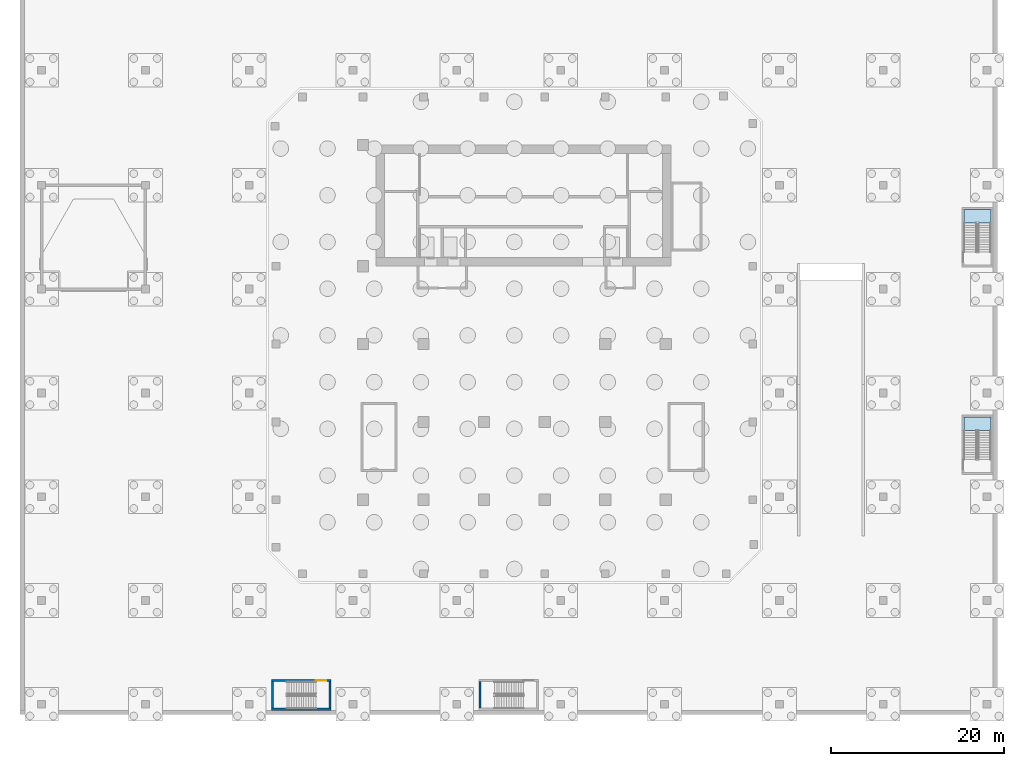
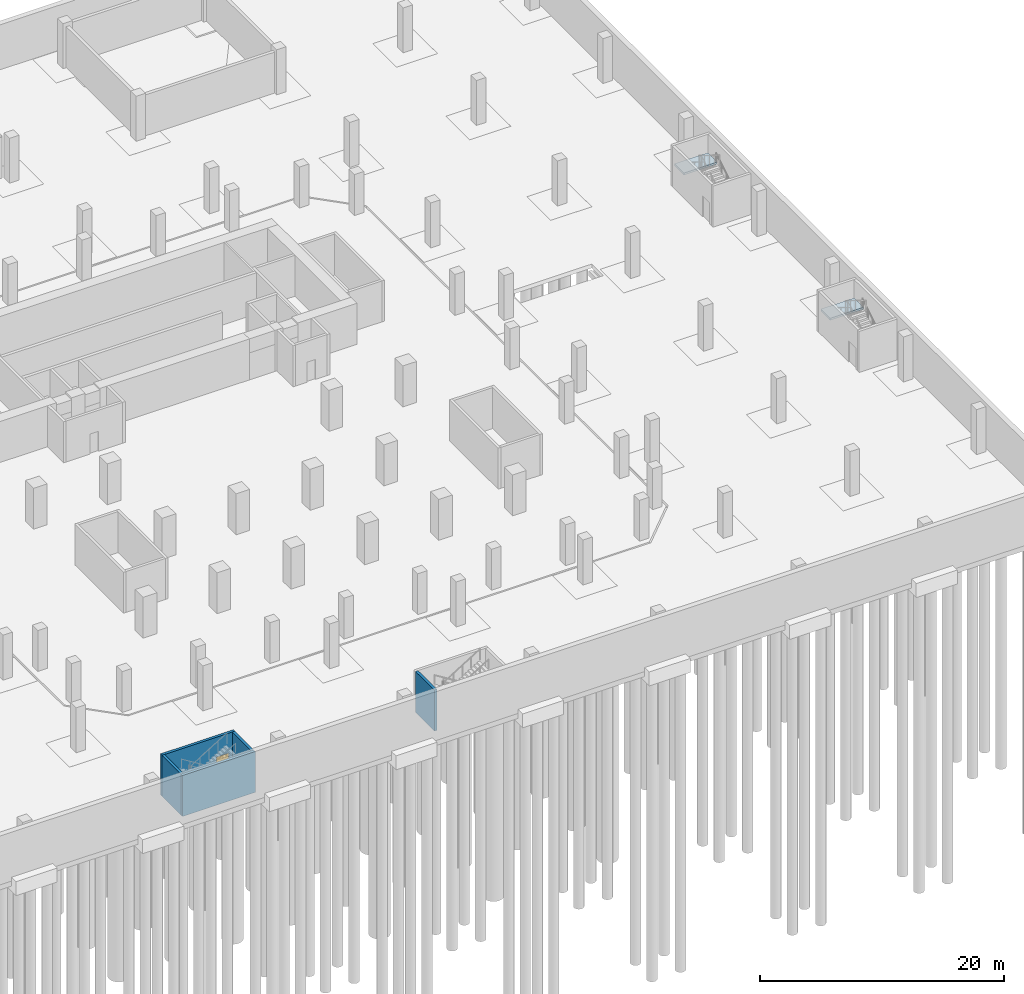
# One storey, part 5 of 15: 5 walls, 2 slabs, 1 door, 1 opening, 2 elements without a shape of their own.
"""IFC4 building model written with IfcOpenShell, lengths in metres."""

from ifc_helpers import new_model, si_unit, direction, frame, frame_2d, origin, place, context, subcontext, project, spatial, polyline, rectangle, outline, extrude, source, transform, mapped, material, layer, layer_set, type_object, element, fill, aggregate, save


model = new_model("IFC4")

# Units and contexts
model_context = context("Model", 3, precision=1e-05, world=origin(), true_north=direction((0.0, 1.0)))
body_context = subcontext(model_context, "Body", "Model", "MODEL_VIEW")
ifc_project = project(units=[si_unit("LENGTHUNIT", "METRE"), si_unit("AREAUNIT", "SQUARE_METRE"), si_unit("VOLUMEUNIT", "CUBIC_METRE"), si_unit("PLANEANGLEUNIT", "RADIAN"), si_unit("MASSUNIT", "GRAM", prefix="KILO")], contexts=[model_context])

# Site, building, storey
site_placement = place(None, origin())
site = spatial("IfcSite", under=ifc_project, at=site_placement, CompositionType="ELEMENT")
building_placement = place(site_placement, origin())
building = spatial("IfcBuilding", under=site, at=building_placement, Name="Kilnfold Tower and Market Hall", CompositionType="ELEMENT")
storey_placement = place(building_placement, frame((0.0, 0.0, -9.0)))
storey = spatial("IfcBuildingStorey", under=building, at=storey_placement, Name="B2", CompositionType="ELEMENT", Elevation=-9.0)

# Stair, slab
ifc_material_1 = material(Name="Concrete C40/50", Category="concrete")
stair_type = type_object("IfcStairType", Name="CAR PARK STAIR 1500", PredefinedType="HALF_TURN_STAIR", material=ifc_material_1)
stair_1_placement = place(storey_placement, origin())
stair_1 = element("IfcStair", 1, at=stair_1_placement, inside=storey, type_object=stair_type, Name="B2 CS3", PredefinedType="HALF_TURN_STAIR")
ifc_material_2 = material(Name="Concrete C40/50", Category="concrete")
ifc_layer_1 = layer(ifc_material_2, 0.199951171875)
ifc_layer_set_1 = layer_set([ifc_layer_1], Name="Concrete C40/50")
slab_type = type_object("IfcSlabType", Name="CAR PARK STAIR LANDING 200", PredefinedType="LANDING", material=ifc_layer_set_1)
shared_shape_1 = source(origin(), body_context, "Body", "SweptSolid", [
    extrude(outline(polyline([(55.10009765625, -10.989990234375), (55.10009765625, -9.449951171875), (51.949951171875, -9.449951171875), (51.949951171875, -10.989990234375), (55.10009765625, -10.989990234375)])), origin(), (0.0, 0.0, 1.0), 0.199951171875),
])
slab_1_placement = place(storey_placement, frame((0.0, 0.0, 2.050048828125)))
slab_1 = element("IfcSlab", 2, at=slab_1_placement, type_object=slab_type, Name="CS3 landing 1", PredefinedType="LANDING", context=body_context, shape_type="MappedRepresentation", body=[
    mapped(shared_shape_1, transform((0.0, 0.0, 0.0))),
])
aggregate(stair_1, [slab_1])

stair_2_placement = place(storey_placement, origin())
stair_2 = element("IfcStair", 3, at=stair_2_placement, inside=storey, type_object=stair_type, Name="B2 CS4", PredefinedType="HALF_TURN_STAIR")
shared_shape_2 = source(origin(), body_context, "Body", "SweptSolid", [
    extrude(outline(polyline([(55.10009765625, 13.010009765625), (55.10009765625, 14.550048828125), (51.949951171875, 14.550048828125), (51.949951171875, 13.010009765625), (55.10009765625, 13.010009765625)])), origin(), (0.0, 0.0, 1.0), 0.199951171875),
])
slab_2_placement = place(storey_placement, frame((0.0, 0.0, 2.050048828125)))
slab_2 = element("IfcSlab", 4, at=slab_2_placement, type_object=slab_type, Name="CS4 landing 1", PredefinedType="LANDING", context=body_context, shape_type="MappedRepresentation", body=[
    mapped(shared_shape_2, transform((0.0, 0.0, 0.0))),
])
aggregate(stair_2, [slab_2])

# Wall
ifc_material_3 = material(Name="Concrete C50/60", Category="concrete")
ifc_layer_2 = layer(ifc_material_3, 0.25)
ifc_layer_set_2 = layer_set([ifc_layer_2], Name="Concrete C50/60")
wall_type = type_object("IfcWallType", Name="CAR PARK STAIR WALL 250", PredefinedType="SHEAR", material=ifc_layer_set_2)
shared_shape_3 = source(origin(), body_context, "Body", "SweptSolid", [
    extrude(rectangle(XDim=6.900146484375, YDim=0.25, at=frame_2d((3.4501953125, 0.0))), origin(), (0.0, 0.0, 1.0), 4.10009765625),
])
wall_1_placement = place(storey_placement, frame((-28.10009765625, -43.22509765625, 0.0), z_axis=(0.0, 0.0, 1.0), x_axis=(1.0, 0.0, 0.0)))
element("IfcWall", 5, at=wall_1_placement, inside=storey, type_object=wall_type, Name="Stair CS1 wall south", PredefinedType="SHEAR", context=body_context, shape_type="MappedRepresentation", body=[
    mapped(shared_shape_3, transform((0.0, 0.0, 0.0))),
])

# Wall, opening, door
wall_2_placement = place(storey_placement, frame((-28.10009765625, -39.875, 0.0), z_axis=(0.0, 0.0, 1.0), x_axis=(1.0, 0.0, 0.0)))
wall_2 = element("IfcWall", 6, at=wall_2_placement, inside=storey, type_object=wall_type, Name="Stair CS1 wall north", PredefinedType="SHEAR", context=body_context, shape_type="MappedRepresentation", body=[
    mapped(shared_shape_3, transform((0.0, 0.0, 0.0))),
])
opening_placement = place(wall_2_placement, frame((5.14990234375, 0.0, 0.0)))
opening = element("IfcOpeningElement", 7, at=opening_placement, cuts=wall_2, Name="Opening FD2", PredefinedType="OPENING", context=body_context, shape_type="SweptSolid", body=[
    extrude(rectangle(XDim=1.199951171875, YDim=2.10009765625, at=frame_2d((0.60009765625, 1.050048828125))), frame((0.0, 0.135009765625, 0.0), z_axis=(0.0, -1.0, 0.0), x_axis=(1.0, 0.0, 0.0)), (0.0, 0.0, 1.0), 0.27001953125),
])
ifc_material_4 = material(Name="Steel S355", Category="steel")
door_type = type_object("IfcDoorType", Name="CAR PARK STAIR DOOR 1200X2100", OperationType="NOTDEFINED", PredefinedType="DOOR", material=ifc_material_4)
door_placement = place(opening_placement, origin())
door = element("IfcDoor", 8, at=door_placement, inside=storey, type_object=door_type, Name="Stair CS1 door", OperationType="SINGLE_SWING_RIGHT", OverallHeight=2.10009765625, OverallWidth=1.199951171875, PredefinedType="DOOR", context=body_context, shape_type="SweptSolid", body=[
    extrude(rectangle(XDim=1.199951171875, YDim=2.10009765625, at=frame_2d((0.60009765625, 1.050048828125))), frame((0.0, 0.02490234375, 0.0), z_axis=(0.0, -1.0, 0.0), x_axis=(1.0, 0.0, 0.0)), (0.0, 0.0, 1.0), 0.050048828125),
])
fill(opening, door)

# Walls
shared_shape_4 = source(origin(), body_context, "Body", "SweptSolid", [
    extrude(rectangle(XDim=3.10009765625, YDim=0.25, at=frame_2d((1.550048828125, 0.0))), origin(), (0.0, 0.0, 1.0), 4.10009765625),
])
for number, where, z_axis, x_axis, name in (
    (9, (-27.97509765625, -43.10009765625, 0.0), (0.0, 0.0, 1.0), (0.0, 1.0, 0.0), "Stair CS1 wall west"),
    (10, (-21.324951171875, -43.10009765625, 0.0), (0.0, 0.0, 1.0), (0.0, 1.0, 0.0), "Stair CS1 wall east"),
    (11, (-3.97509765625, -43.10009765625, 0.0), (0.0, 0.0, 1.0), (0.0, 1.0, 0.0), "Stair CS2 wall west"),
):
    element("IfcWall", number, at=place(storey_placement, frame(where, z_axis=z_axis, x_axis=x_axis)), inside=storey, type_object=wall_type, Name=name, PredefinedType="SHEAR", context=body_context, shape_type="MappedRepresentation", body=[
        mapped(shared_shape_4, transform((0.0, 0.0, 0.0))),
    ])

save(model, "model.ifc")
